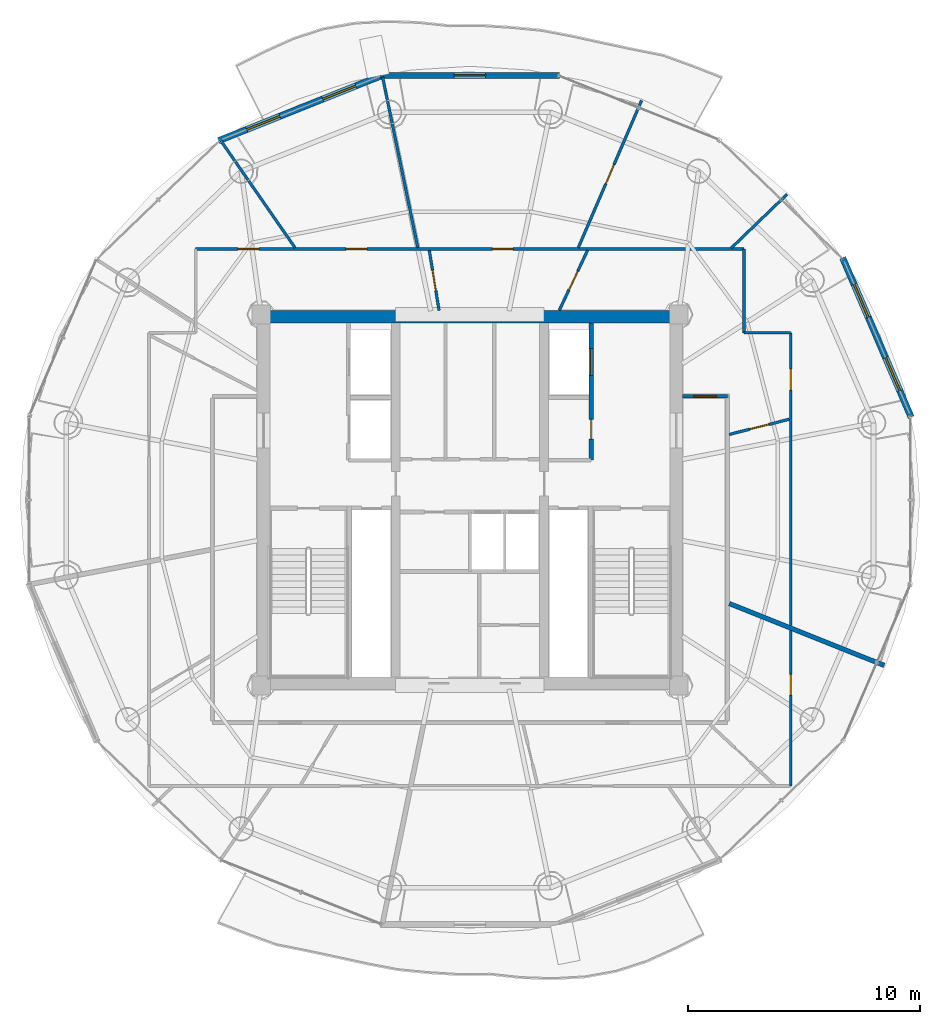
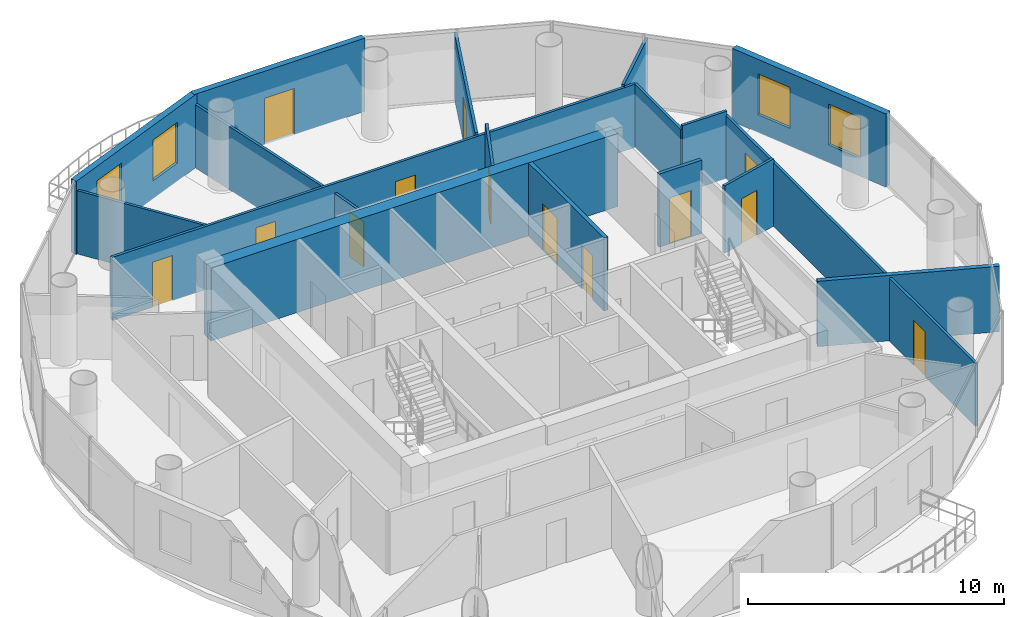
# One storey, part 19 of 23: 19 walls, 13 doors, 4 windows, 17 openings.
"""IFC4 building model written with IfcOpenShell, lengths in metres."""

from ifc_helpers import new_model, si_unit, direction, frame, frame_2d, origin, place, context, subcontext, project, spatial, rectangle, extrude, source, transform, mapped, material, layer, layer_set, type_object, element, fill, save


model = new_model("IFC4")

# Units and contexts
model_context = context("Model", 3, precision=1e-05, world=origin(), true_north=direction((-0.2419218956, 0.970295726276)))
body_context = subcontext(model_context, "Body", "Model", "MODEL_VIEW")
ifc_project = project(units=[si_unit("LENGTHUNIT", "METRE"), si_unit("AREAUNIT", "SQUARE_METRE"), si_unit("VOLUMEUNIT", "CUBIC_METRE"), si_unit("PLANEANGLEUNIT", "RADIAN"), si_unit("MASSUNIT", "GRAM", prefix="KILO")], contexts=[model_context])

# Site, building, storey
site_placement = place(None, origin())
site = spatial("IfcSite", under=ifc_project, at=site_placement, CompositionType="ELEMENT")
building_placement = place(site_placement, origin())
building = spatial("IfcBuilding", under=site, at=building_placement, Name="Cobrevalo Terracotta Tower", CompositionType="ELEMENT")
storey_placement = place(building_placement, frame((0.0, 0.0, 255.699951171875)))
storey = spatial("IfcBuildingStorey", under=building, at=storey_placement, Name="L67", CompositionType="ELEMENT", Elevation=255.699951171875)

# Wall
ifc_material_1 = material(Name="Concrete C50", Category="concrete")
ifc_layer_1 = layer(ifc_material_1, 0.550048828125)
ifc_layer_set_1 = layer_set([ifc_layer_1], Name="Concrete C50")
wall_type_1 = type_object("IfcWallType", Name="Core shear wall 550 mm Concrete C50", PredefinedType="SHEAR", material=ifc_layer_set_1)
wall_1_placement = place(storey_placement, frame((28.824951171875, 34.699951171875, 0.0), z_axis=(0.0, 0.0, 1.0), x_axis=(1.0, 0.0, 0.0)))
element("IfcWall", 1, at=wall_1_placement, inside=storey, type_object=wall_type_1, Name="L67 north core shear wall", PredefinedType="SHEAR", context=body_context, shape_type="SweptSolid", body=[
    extrude(rectangle(XDim=18.35009765625, YDim=0.550048828125, at=frame_2d((9.175048828125, 0.0))), origin(), (0.0, 0.0, 1.0), 3.489990234375),
])

# Wall, opening, door
ifc_material_2 = material(Name="Gypsum board on steel stud", Category="steel")
ifc_layer_2 = layer(ifc_material_2, 0.159912109375)
ifc_layer_set_2 = layer_set([ifc_layer_2], Name="Gypsum board on steel stud")
wall_type_2 = type_object("IfcWallType", Name="Fire-rated corridor acoustic partition wall 160 mm", PredefinedType="PARTITIONING", material=ifc_layer_set_2)
wall_2_placement = place(storey_placement, frame((47.175048828125, 31.280029296875, 0.0), z_axis=(0.0, 0.0, 1.0), x_axis=(1.0, 0.0, 0.0)))
wall_2 = element("IfcWall", 2, at=wall_2_placement, inside=storey, type_object=wall_type_2, Name="L67 interior partition IW-L67-COR-EN-CAP", PredefinedType="PARTITIONING", context=body_context, shape_type="SweptSolid", body=[
    extrude(rectangle(XDim=1.929931640625, YDim=0.159912109375, at=frame_2d((0.96484375, 0.0))), origin(), (0.0, 0.0, 1.0), 3.489990234375),
])
opening_1_placement = place(wall_2_placement, frame((0.47509765625, 0.0, 0.0)))
opening_1 = element("IfcOpeningElement", 3, at=opening_1_placement, cuts=wall_2, Name="Opening ID-05", PredefinedType="OPENING", context=body_context, shape_type="SweptSolid", body=[
    extrude(rectangle(XDim=0.97998046875, YDim=2.199951171875, at=frame_2d((0.489990234375, 1.10009765625))), frame((0.0, 0.08984375, 0.0), z_axis=(0.0, -1.0, 0.0), x_axis=(1.0, 0.0, 0.0)), (0.0, 0.0, 1.0), 0.179931640625),
])
ifc_material_3 = material(Name="Solid hardwood timber", Category="wood")
door_type_1 = type_object("IfcDoorType", Name="Residence entrance fire-rated acoustic timber door 980x2200 EI 60", OperationType="NOTDEFINED", PredefinedType="DOOR", material=ifc_material_3)
shared_shape_1 = source(origin(), body_context, "Body", "SweptSolid", [
    extrude(rectangle(XDim=0.97998046875, YDim=2.199951171875, at=frame_2d((0.489990234375, 1.10009765625))), frame((0.0, 0.02490234375, 0.0), z_axis=(0.0, -1.0, 0.0), x_axis=(1.0, 0.0, 0.0)), (0.0, 0.0, 1.0), 0.050048828125),
])
door_1_placement = place(opening_1_placement, origin())
door_1 = element("IfcDoor", 4, at=door_1_placement, inside=storey, type_object=door_type_1, Name="Flat L67A fire-rated apartment entrance door", OperationType="SINGLE_SWING_LEFT", OverallHeight=2.199951171875, OverallWidth=0.97998046875, PredefinedType="DOOR", context=body_context, shape_type="MappedRepresentation", body=[
    mapped(shared_shape_1, transform((0.0, 0.0, 0.0), scale=1.0)),
])
fill(opening_1, door_1)

# Wall, openings, doors
ifc_layer_3 = layer(ifc_material_2, 0.179931640625)
ifc_layer_set_3 = layer_set([ifc_layer_3], Name="Gypsum board on steel stud")
wall_type_3 = type_object("IfcWallType", Name="Fire-rated shaft & lobby acoustic partition wall 180 mm", PredefinedType="PARTITIONING", material=ifc_layer_set_3)
wall_3_placement = place(storey_placement, frame((43.22998046875, 28.52001953125, 0.0), z_axis=(0.0, 0.0, 1.0), x_axis=(0.0, 1.0, 0.0)))
wall_3 = element("IfcWall", 5, at=wall_3_placement, inside=storey, type_object=wall_type_3, Name="L67 interior partition IW-L67-FF2-E", PredefinedType="PARTITIONING", context=body_context, shape_type="SweptSolid", body=[
    extrude(rectangle(XDim=5.905029296875, YDim=0.179931640625, at=frame_2d((2.95263671875, 0.0))), origin(), (0.0, 0.0, 1.0), 3.489990234375),
])
opening_2_placement = place(wall_3_placement, frame((0.905029296875, 0.0, 0.0)))
opening_2 = element("IfcOpeningElement", 6, at=opening_2_placement, cuts=wall_3, Name="Opening ID-22", PredefinedType="OPENING", context=body_context, shape_type="SweptSolid", body=[
    extrude(rectangle(XDim=0.85009765625, YDim=2.10009765625, at=frame_2d((0.425048828125, 1.050048828125))), frame((0.0, 0.10009765625, 0.0), z_axis=(0.0, -1.0, 0.0), x_axis=(1.0, 0.0, 0.0)), (0.0, 0.0, 1.0), 0.199951171875),
])
opening_3_placement = place(wall_3_placement, frame((3.655029296875, 0.0, 0.0)))
opening_3 = element("IfcOpeningElement", 7, at=opening_3_placement, cuts=wall_3, Name="Opening LD-02", PredefinedType="OPENING", context=body_context, shape_type="SweptSolid", body=[
    extrude(rectangle(XDim=1.14990234375, YDim=2.199951171875, at=frame_2d((0.574951171875, 1.10009765625))), frame((0.0, 0.10009765625, 0.0), z_axis=(0.0, -1.0, 0.0), x_axis=(1.0, 0.0, 0.0)), (0.0, 0.0, 1.0), 0.199951171875),
])
ifc_material_4 = material(Name="Powder-coated steel", Category="steel")
door_type_2 = type_object("IfcDoorType", Name="Riser shaft & meter closet fire access door 850x2100 EI 60", OperationType="NOTDEFINED", PredefinedType="DOOR", material=ifc_material_4)
shared_shape_2 = source(origin(), body_context, "Body", "SweptSolid", [
    extrude(rectangle(XDim=0.85009765625, YDim=2.10009765625, at=frame_2d((0.425048828125, 1.050048828125))), frame((0.0, 0.02490234375, 0.0), z_axis=(0.0, -1.0, 0.0), x_axis=(1.0, 0.0, 0.0)), (0.0, 0.0, 1.0), 0.050048828125),
])
door_2_placement = place(opening_2_placement, frame((0.85009765625, 0.0, 0.0), z_axis=(0.0, 0.0, 1.0), x_axis=(-1.0, 0.0, 0.0)))
door_2 = element("IfcDoor", 8, at=door_2_placement, inside=storey, type_object=door_type_2, Name="L67 housekeeping store door", OperationType="SINGLE_SWING_RIGHT", OverallHeight=2.10009765625, OverallWidth=0.85009765625, PredefinedType="DOOR", context=body_context, shape_type="MappedRepresentation", body=[
    mapped(shared_shape_2, transform((0.0, 0.0, 0.0), scale=1.0)),
])
fill(opening_2, door_2)
ifc_material_5 = material(Name="Brushed stainless steel", Category="steel")
door_type_3 = type_object("IfcDoorType", Name="Firefighting lift landing bi-parting sliding door 1150x2200 EI 120", OperationType="DOUBLE_DOOR_SLIDING", PredefinedType="DOOR", material=ifc_material_5)
shared_shape_3 = source(origin(), body_context, "Body", "SweptSolid", [
    extrude(rectangle(XDim=1.14990234375, YDim=2.199951171875, at=frame_2d((0.574951171875, 1.10009765625))), frame((0.0, 0.02490234375, 0.0), z_axis=(0.0, -1.0, 0.0), x_axis=(1.0, 0.0, 0.0)), (0.0, 0.0, 1.0), 0.050048828125),
])
door_3_placement = place(opening_3_placement, origin())
door_3 = element("IfcDoor", 9, at=door_3_placement, inside=storey, type_object=door_type_3, Name="L67 lift landing door FF-2", OperationType="DOUBLE_DOOR_SLIDING", OverallHeight=2.199951171875, OverallWidth=1.14990234375, PredefinedType="DOOR", context=body_context, shape_type="MappedRepresentation", body=[
    mapped(shared_shape_3, transform((0.0, 0.0, 0.0), scale=1.0)),
])
fill(opening_3, door_3)

# Wall
ifc_material_6 = material(Name="Autoclaved aerated concrete block", Category="concrete")
ifc_layer_4 = layer(ifc_material_6, 0.199951171875)
ifc_layer_set_4 = layer_set([ifc_layer_4], Name="Autoclaved aerated concrete block")
wall_type_4 = type_object("IfcWallType", Name="Fire-rated stair, shaft & demising masonry wall 200 mm", PredefinedType="PARTITIONING", material=ifc_layer_set_4)
wall_4_placement = place(storey_placement, frame((49.18505859375, 22.334228515625, 0.0), z_axis=(0.0, 0.0, 1.0), x_axis=(0.928710518269, -0.370805573389, 0.0)))
element("IfcWall", 10, at=wall_4_placement, inside=storey, type_object=wall_type_4, Name="L67 interior partition IW-L67-DEM-1", PredefinedType="PARTITIONING", context=body_context, shape_type="SweptSolid", body=[
    extrude(rectangle(XDim=7.195068359375, YDim=0.199951171875, at=frame_2d((3.59765625, 0.0))), origin(), (0.0, 0.0, 1.0), 3.12109375),
])

# Wall, openings, windows
ifc_layer_5 = layer(ifc_material_6, 0.280029296875)
ifc_layer_set_5 = layer_set([ifc_layer_5], Name="Autoclaved aerated concrete block")
wall_type_5 = type_object("IfcWallType", Name="Insulated tower spandrel & pier wall 280 mm with terracotta rainscreen", PredefinedType="SOLIDWALL", material=ifc_layer_set_5)
wall_5_placement = place(storey_placement, frame((57.029296875, 30.368896484375, 0.0), z_axis=(0.0, 0.0, 1.0), x_axis=(-0.394816612978, 0.918759948037, 0.0)))
wall_5 = element("IfcWall", 11, at=wall_5_placement, inside=storey, type_object=wall_type_5, Name="L67 terracotta rainscreen pier wall S01", PredefinedType="SOLIDWALL", context=body_context, shape_type="SweptSolid", body=[
    extrude(rectangle(XDim=7.4853515625, YDim=0.280029296875, at=frame_2d((3.74267578125, 0.0))), origin(), (0.0, 0.0, 1.0), 3.489990234375),
])
opening_4_placement = place(wall_5_placement, frame((1.24609375, 0.0, 0.85009765625)))
opening_4 = element("IfcOpeningElement", 12, at=opening_4_placement, cuts=wall_5, Name="Opening WN-12", PredefinedType="OPENING", context=body_context, shape_type="SweptSolid", body=[
    extrude(rectangle(XDim=1.550048828125, YDim=1.949951171875, at=frame_2d((0.77490234375, 0.97509765625))), frame((0.0, 0.14990234375, 0.0), z_axis=(0.0, -1.0, 0.0), x_axis=(1.0, 0.0, 0.0)), (0.0, 0.0, 1.0), 0.300048828125),
])
opening_5_placement = place(wall_5_placement, frame((4.689208984375, 0.0, 0.85009765625)))
opening_5 = element("IfcOpeningElement", 13, at=opening_5_placement, cuts=wall_5, Name="Opening WN-12", PredefinedType="OPENING", context=body_context, shape_type="SweptSolid", body=[
    extrude(rectangle(XDim=1.550048828125, YDim=1.949951171875, at=frame_2d((0.77490234375, 0.97509765625))), frame((0.0, 0.14990234375, 0.0), z_axis=(0.0, -1.0, 0.0), x_axis=(1.0, 0.0, 0.0)), (0.0, 0.0, 1.0), 0.300048828125),
])
ifc_material_7 = material(Name="Solar-control low-E double glazing", Category="glass")
window_type = type_object("IfcWindowType", Name="Solar-control low-E aluminium window 1550x1950", PartitioningType="SINGLE_PANEL", PredefinedType="WINDOW", material=ifc_material_7)
shared_shape_4 = source(origin(), body_context, "Body", "SweptSolid", [
    extrude(rectangle(XDim=1.550048828125, YDim=1.949951171875, at=frame_2d((0.77490234375, 0.97509765625))), frame((0.0, 0.030029296875, 0.0), z_axis=(0.0, -1.0, 0.0), x_axis=(1.0, 0.0, 0.0)), (0.0, 0.0, 1.0), 0.06005859375),
])
window_1_placement = place(opening_4_placement, origin())
window_1 = element("IfcWindow", 14, at=window_1_placement, inside=storey, type_object=window_type, Name="L67 suite window S01A", OverallHeight=1.949951171875, OverallWidth=1.550048828125, PartitioningType="SINGLE_PANEL", PredefinedType="WINDOW", context=body_context, shape_type="MappedRepresentation", body=[
    mapped(shared_shape_4, transform((0.0, 0.0, 0.0), scale=1.0)),
])
fill(opening_4, window_1)
window_2_placement = place(opening_5_placement, origin())
window_2 = element("IfcWindow", 15, at=window_2_placement, inside=storey, type_object=window_type, Name="L67 suite window S01B", OverallHeight=1.949951171875, OverallWidth=1.550048828125, PartitioningType="SINGLE_PANEL", PredefinedType="WINDOW", context=body_context, shape_type="MappedRepresentation", body=[
    mapped(shared_shape_4, transform((0.0, 0.0, 0.0), scale=1.0)),
])
fill(opening_5, window_2)

wall_6_placement = place(storey_placement, frame((34.29541015625, 45.140869140625, 0.0), z_axis=(0.0, 0.0, 1.0), x_axis=(-0.928724272392, -0.370771123296, 0.0)))
wall_6 = element("IfcWall", 16, at=wall_6_placement, inside=storey, type_object=wall_type_5, Name="L67 terracotta rainscreen pier wall S05", PredefinedType="SOLIDWALL", context=body_context, shape_type="SweptSolid", body=[
    extrude(rectangle(XDim=7.678466796875, YDim=0.280029296875, at=frame_2d((3.83935546875, 0.0))), origin(), (0.0, 0.0, 1.0), 3.489990234375),
])
opening_6_placement = place(wall_6_placement, frame((1.298095703125, 0.0, 0.85009765625)))
opening_6 = element("IfcOpeningElement", 17, at=opening_6_placement, cuts=wall_6, Name="Opening WN-12", PredefinedType="OPENING", context=body_context, shape_type="SweptSolid", body=[
    extrude(rectangle(XDim=1.550048828125, YDim=1.949951171875, at=frame_2d((0.77490234375, 0.97509765625))), frame((0.0, 0.14990234375, 0.0), z_axis=(0.0, -1.0, 0.0), x_axis=(1.0, 0.0, 0.0)), (0.0, 0.0, 1.0), 0.300048828125),
])
opening_7_placement = place(wall_6_placement, frame((4.830078125, 0.0, 0.85009765625)))
opening_7 = element("IfcOpeningElement", 18, at=opening_7_placement, cuts=wall_6, Name="Opening WN-12", PredefinedType="OPENING", context=body_context, shape_type="SweptSolid", body=[
    extrude(rectangle(XDim=1.550048828125, YDim=1.949951171875, at=frame_2d((0.77490234375, 0.97509765625))), frame((0.0, 0.14990234375, 0.0), z_axis=(0.0, -1.0, 0.0), x_axis=(1.0, 0.0, 0.0)), (0.0, 0.0, 1.0), 0.300048828125),
])
window_3_placement = place(opening_6_placement, origin())
window_3 = element("IfcWindow", 19, at=window_3_placement, inside=storey, type_object=window_type, Name="L67 suite window S05A", OverallHeight=1.949951171875, OverallWidth=1.550048828125, PartitioningType="SINGLE_PANEL", PredefinedType="WINDOW", context=body_context, shape_type="MappedRepresentation", body=[
    mapped(shared_shape_4, transform((0.0, 0.0, 0.0), scale=1.0)),
])
fill(opening_6, window_3)
window_4_placement = place(opening_7_placement, origin())
window_4 = element("IfcWindow", 20, at=window_4_placement, inside=storey, type_object=window_type, Name="L67 suite window S05B", OverallHeight=1.949951171875, OverallWidth=1.550048828125, PartitioningType="SINGLE_PANEL", PredefinedType="WINDOW", context=body_context, shape_type="MappedRepresentation", body=[
    mapped(shared_shape_4, transform((0.0, 0.0, 0.0), scale=1.0)),
])
fill(opening_7, window_4)

# Wall, opening, door
ifc_layer_6 = layer(ifc_material_6, 0.260009765625)
ifc_layer_set_6 = layer_set([ifc_layer_6], Name="Autoclaved aerated concrete block")
wall_type_6 = type_object("IfcWallType", Name="Recessed balcony loggia insulated exterior wall 260 mm", PredefinedType="SOLIDWALL", material=ifc_layer_set_6)
wall_7_placement = place(storey_placement, frame((41.85888671875, 45.111328125, 0.0), z_axis=(0.0, 0.0, 1.0), x_axis=(-1.0, 0.0, 0.0)))
wall_7 = element("IfcWall", 21, at=wall_7_placement, inside=storey, type_object=wall_type_6, Name="L67 balcony loggia wall S04", PredefinedType="SOLIDWALL", context=body_context, shape_type="SweptSolid", body=[
    extrude(rectangle(XDim=7.7177734375, YDim=0.260009765625, at=frame_2d((3.85888671875, 0.0))), origin(), (0.0, 0.0, 1.0), 3.489990234375),
])
opening_8_placement = place(wall_7_placement, frame((3.183837890625, 0.0, 0.0)))
opening_8 = element("IfcOpeningElement", 22, at=opening_8_placement, cuts=wall_7, Name="Opening ED-05", PredefinedType="OPENING", context=body_context, shape_type="SweptSolid", body=[
    extrude(rectangle(XDim=1.35009765625, YDim=2.199951171875, at=frame_2d((0.675048828125, 1.10009765625))), frame((0.0, 0.14013671875, 0.0), z_axis=(0.0, -1.0, 0.0), x_axis=(1.0, 0.0, 0.0)), (0.0, 0.0, 1.0), 0.280029296875),
])
ifc_material_8 = material(Name="Anodized aluminium and laminated glass", Category="aluminium")
door_type_4 = type_object("IfcDoorType", Name="Suite balcony acoustic glazed terrace door 1350x2200", OperationType="NOTDEFINED", PredefinedType="DOOR", material=ifc_material_8)
shared_shape_5 = source(origin(), body_context, "Body", "SweptSolid", [
    extrude(rectangle(XDim=1.35009765625, YDim=2.199951171875, at=frame_2d((0.675048828125, 1.10009765625))), frame((0.0, 0.02490234375, 0.0), z_axis=(0.0, -1.0, 0.0), x_axis=(1.0, 0.0, 0.0)), (0.0, 0.0, 1.0), 0.050048828125),
])
door_4_placement = place(opening_8_placement, frame((1.35009765625, 0.0, 0.0), z_axis=(0.0, 0.0, 1.0), x_axis=(-1.0, 0.0, 0.0)))
door_4 = element("IfcDoor", 23, at=door_4_placement, inside=storey, type_object=door_type_4, Name="L67 glazed balcony terrace door 1", OperationType="SINGLE_SWING_LEFT", OverallHeight=2.199951171875, OverallWidth=1.35009765625, PredefinedType="DOOR", context=body_context, shape_type="MappedRepresentation", body=[
    mapped(shared_shape_5, transform((0.0, 0.0, 0.0), scale=1.0)),
])
fill(opening_8, door_4)

# Wall, openings, doors
ifc_layer_7 = layer(ifc_material_2, 0.1201171875)
ifc_layer_set_7 = layer_set([ifc_layer_7], Name="Gypsum board on steel stud")
wall_type_7 = type_object("IfcWallType", Name="Residential internal acoustic stud partition 120 mm", PredefinedType="PARTITIONING", material=ifc_layer_set_7)
wall_8_placement = place(storey_placement, frame((26.175048828125, 37.625, 0.0), z_axis=(0.0, 0.0, 1.0), x_axis=(1.0, 0.0, 0.0)))
wall_8 = element("IfcWall", 24, at=wall_8_placement, inside=storey, type_object=wall_type_7, Name="L67 interior partition IW-L67-U1-RING3_0", PredefinedType="PARTITIONING", context=body_context, shape_type="SweptSolid", body=[
    extrude(rectangle(XDim=23.64990234375, YDim=0.1201171875, at=frame_2d((11.824951171875, 0.0))), origin(), (0.0, 0.0, 1.0), 3.01513671875),
])
opening_9_placement = place(wall_8_placement, frame((12.791259765625, 0.0, 0.0)))
opening_9 = element("IfcOpeningElement", 25, at=opening_9_placement, cuts=wall_8, Name="Opening ID-12", PredefinedType="OPENING", context=body_context, shape_type="SweptSolid", body=[
    extrude(rectangle(XDim=0.89990234375, YDim=2.14990234375, at=frame_2d((0.449951171875, 1.074951171875))), frame((0.0, 0.070068359375, 0.0), z_axis=(0.0, -1.0, 0.0), x_axis=(1.0, 0.0, 0.0)), (0.0, 0.0, 1.0), 0.14013671875),
])
opening_10_placement = place(wall_8_placement, frame((6.47998046875, 0.0, 0.0)))
opening_10 = element("IfcOpeningElement", 26, at=opening_10_placement, cuts=wall_8, Name="Opening ID-12", PredefinedType="OPENING", context=body_context, shape_type="SweptSolid", body=[
    extrude(rectangle(XDim=0.89990234375, YDim=2.14990234375, at=frame_2d((0.449951171875, 1.074951171875))), frame((0.0, 0.070068359375, 0.0), z_axis=(0.0, -1.0, 0.0), x_axis=(1.0, 0.0, 0.0)), (0.0, 0.0, 1.0), 0.14013671875),
])
opening_11_placement = place(wall_8_placement, frame((1.83056640625, 0.0, 0.0)))
opening_11 = element("IfcOpeningElement", 27, at=opening_11_placement, cuts=wall_8, Name="Opening ID-12", PredefinedType="OPENING", context=body_context, shape_type="SweptSolid", body=[
    extrude(rectangle(XDim=0.89990234375, YDim=2.14990234375, at=frame_2d((0.449951171875, 1.074951171875))), frame((0.0, 0.070068359375, 0.0), z_axis=(0.0, -1.0, 0.0), x_axis=(1.0, 0.0, 0.0)), (0.0, 0.0, 1.0), 0.14013671875),
])
ifc_material_9 = material(Name="Engineered timber", Category="wood")
door_type_5 = type_object("IfcDoorType", Name="Internal residence & suite timber door 900x2150", OperationType="NOTDEFINED", PredefinedType="DOOR", material=ifc_material_9)
shared_shape_6 = source(origin(), body_context, "Body", "SweptSolid", [
    extrude(rectangle(XDim=0.89990234375, YDim=2.14990234375, at=frame_2d((0.449951171875, 1.074951171875))), frame((0.0, 0.02490234375, 0.0), z_axis=(0.0, -1.0, 0.0), x_axis=(1.0, 0.0, 0.0)), (0.0, 0.0, 1.0), 0.050048828125),
])
door_5_placement = place(opening_9_placement, origin())
door_5 = element("IfcDoor", 28, at=door_5_placement, inside=storey, type_object=door_type_5, Name="Flat L67A Penthouse Family Lounge internal door", OperationType="SINGLE_SWING_LEFT", OverallHeight=2.14990234375, OverallWidth=0.89990234375, PredefinedType="DOOR", context=body_context, shape_type="MappedRepresentation", body=[
    mapped(shared_shape_6, transform((0.0, 0.0, 0.0), scale=1.0)),
])
fill(opening_9, door_5)
door_6_placement = place(opening_10_placement, origin())
door_6 = element("IfcDoor", 29, at=door_6_placement, inside=storey, type_object=door_type_5, Name="Flat L67A Principal Guest Bedroom internal door", OperationType="SINGLE_SWING_LEFT", OverallHeight=2.14990234375, OverallWidth=0.89990234375, PredefinedType="DOOR", context=body_context, shape_type="MappedRepresentation", body=[
    mapped(shared_shape_6, transform((0.0, 0.0, 0.0), scale=1.0)),
])
fill(opening_10, door_6)
door_7_placement = place(opening_11_placement, origin())
door_7 = element("IfcDoor", 30, at=door_7_placement, inside=storey, type_object=door_type_5, Name="Flat L67A Penthouse Family Lounge internal door", OperationType="SINGLE_SWING_RIGHT", OverallHeight=2.14990234375, OverallWidth=0.89990234375, PredefinedType="DOOR", context=body_context, shape_type="MappedRepresentation", body=[
    mapped(shared_shape_6, transform((0.0, 0.0, 0.0), scale=1.0)),
])
fill(opening_11, door_7)

# Walls
wall_9_placement = place(storey_placement, frame((49.824951171875, 37.625, 0.0), z_axis=(0.0, 0.0, 1.0), x_axis=(0.0, -1.0, 0.0)))
element("IfcWall", 31, at=wall_9_placement, inside=storey, type_object=wall_type_7, Name="L67 interior partition IW-L67-U1-RING4_0", PredefinedType="PARTITIONING", context=body_context, shape_type="SweptSolid", body=[
    extrude(rectangle(XDim=3.614990234375, YDim=0.1201171875, at=frame_2d((1.8076171875, 0.0))), origin(), (0.0, 0.0, 1.0), 3.01513671875),
])
wall_10_placement = place(storey_placement, frame((49.824951171875, 34.010009765625, 0.0), z_axis=(0.0, 0.0, 1.0), x_axis=(1.0, 0.0, 0.0)))
element("IfcWall", 32, at=wall_10_placement, inside=storey, type_object=wall_type_7, Name="L67 interior partition IW-L67-U1-RING5_0", PredefinedType="PARTITIONING", context=body_context, shape_type="SweptSolid", body=[
    extrude(rectangle(XDim=2.010009765625, YDim=0.1201171875, at=frame_2d((1.0048828125, 0.0))), origin(), (0.0, 0.0, 1.0), 3.208984375),
])

# Wall, opening, door
wall_11_placement = place(storey_placement, frame((51.8349609375, 34.010009765625, 0.0), z_axis=(0.0, 0.0, 1.0), x_axis=(0.0, -1.0, 0.0)))
wall_11 = element("IfcWall", 33, at=wall_11_placement, inside=storey, type_object=wall_type_7, Name="L67 interior partition IW-L67-U1-RING6_0", PredefinedType="PARTITIONING", context=body_context, shape_type="SweptSolid", body=[
    extrude(rectangle(XDim=12.6318359375, YDim=0.1201171875, at=frame_2d((6.31591796875, 0.0))), origin(), (0.0, 0.0, 1.0), 3.01513671875),
])
opening_12_placement = place(wall_11_placement, frame((1.5703125, 0.0, 0.0)))
opening_12 = element("IfcOpeningElement", 34, at=opening_12_placement, cuts=wall_11, Name="Opening ID-12", PredefinedType="OPENING", context=body_context, shape_type="SweptSolid", body=[
    extrude(rectangle(XDim=0.89990234375, YDim=2.14990234375, at=frame_2d((0.449951171875, 1.074951171875))), frame((0.0, 0.070068359375, 0.0), z_axis=(0.0, -1.0, 0.0), x_axis=(1.0, 0.0, 0.0)), (0.0, 0.0, 1.0), 0.14013671875),
])
door_8_placement = place(opening_12_placement, origin())
door_8 = element("IfcDoor", 35, at=door_8_placement, inside=storey, type_object=door_type_5, Name="Flat L67A Penthouse Living and Dining Room internal door", OperationType="SINGLE_SWING_LEFT", OverallHeight=2.14990234375, OverallWidth=0.89990234375, PredefinedType="DOOR", context=body_context, shape_type="MappedRepresentation", body=[
    mapped(shared_shape_6, transform((0.0, 0.0, 0.0), scale=1.0)),
])
fill(opening_12, door_8)

# Wall
wall_12_placement = place(storey_placement, frame((49.27490234375, 37.66796875, 0.0), z_axis=(0.0, 0.0, 1.0), x_axis=(0.719954096891, 0.694021684366, 0.0)))
element("IfcWall", 36, at=wall_12_placement, inside=storey, type_object=wall_type_7, Name="L67 interior partition IW-L67-U1-ORAD1", PredefinedType="PARTITIONING", context=body_context, shape_type="SweptSolid", body=[
    extrude(rectangle(XDim=3.332763671875, YDim=0.1201171875, at=frame_2d((1.66650390625, 0.0))), origin(), (0.0, 0.0, 1.0), 3.12109375),
])

# Wall, opening, door
wall_13_placement = place(storey_placement, frame((42.67626953125, 37.681884765625, 0.0), z_axis=(0.0, 0.0, 1.0), x_axis=(0.394777489933, 0.918776759307, 0.0)))
wall_13 = element("IfcWall", 37, at=wall_13_placement, inside=storey, type_object=wall_type_7, Name="L67 interior partition IW-L67-U1-ORAD2M1", PredefinedType="PARTITIONING", context=body_context, shape_type="SweptSolid", body=[
    extrude(rectangle(XDim=6.899658203125, YDim=0.1201171875, at=frame_2d((3.44970703125, 0.0))), origin(), (0.0, 0.0, 1.0), 3.12109375),
])
opening_13_placement = place(wall_13_placement, frame((3.0, 0.0, 0.0)))
opening_13 = element("IfcOpeningElement", 38, at=opening_13_placement, cuts=wall_13, Name="Opening ID-12", PredefinedType="OPENING", context=body_context, shape_type="SweptSolid", body=[
    extrude(rectangle(XDim=0.89990234375, YDim=2.14990234375, at=frame_2d((0.449951171875, 1.074951171875))), frame((0.0, 0.070068359375, 0.0), z_axis=(0.0, -1.0, 0.0), x_axis=(1.0, 0.0, 0.0)), (0.0, 0.0, 1.0), 0.14013671875),
])
door_9_placement = place(opening_13_placement, frame((0.89990234375, 0.0, 0.0), z_axis=(0.0, 0.0, 1.0), x_axis=(-1.0, 0.0, 0.0)))
door_9 = element("IfcDoor", 39, at=door_9_placement, inside=storey, type_object=door_type_5, Name="Flat L67A Master Bedroom internal door", OperationType="SINGLE_SWING_RIGHT", OverallHeight=2.14990234375, OverallWidth=0.89990234375, PredefinedType="DOOR", context=body_context, shape_type="MappedRepresentation", body=[
    mapped(shared_shape_6, transform((0.0, 0.0, 0.0), scale=1.0)),
])
fill(opening_13, door_9)

# Walls
wall_14_placement = place(storey_placement, frame((35.753662109375, 37.685791015625, 0.0), z_axis=(0.0, 0.0, 1.0), x_axis=(-0.202105877204, 0.979363678313, 0.0)))
element("IfcWall", 40, at=wall_14_placement, inside=storey, type_object=wall_type_7, Name="L67 interior partition IW-L67-U1-ORAD2", PredefinedType="PARTITIONING", context=body_context, shape_type="SweptSolid", body=[
    extrude(rectangle(XDim=7.512451171875, YDim=0.1201171875, at=frame_2d((3.75634765625, 0.0))), origin(), (0.0, 0.0, 1.0), 3.01513671875),
])
wall_15_placement = place(storey_placement, frame((30.4609375, 37.676025390625, 0.0), z_axis=(0.0, 0.0, 1.0), x_axis=(-0.569689482466, 0.821860020665, 0.0)))
element("IfcWall", 41, at=wall_15_placement, inside=storey, type_object=wall_type_7, Name="L67 interior partition IW-L67-U1-ORAD3M1", PredefinedType="PARTITIONING", context=body_context, shape_type="SweptSolid", body=[
    extrude(rectangle(XDim=5.585205078125, YDim=0.1201171875, at=frame_2d((2.79248046875, 0.0))), origin(), (0.0, 0.0, 1.0), 3.01513671875),
])

# Wall, opening, door
wall_16_placement = place(storey_placement, frame((49.18505859375, 29.626953125, 0.0), z_axis=(0.0, 0.0, 1.0), x_axis=(0.969515658159, 0.2450293627, 0.0)))
wall_16 = element("IfcWall", 42, at=wall_16_placement, inside=storey, type_object=wall_type_7, Name="L67 interior partition IW-L67-U1-IRAD1", PredefinedType="PARTITIONING", context=body_context, shape_type="SweptSolid", body=[
    extrude(rectangle(XDim=2.67138671875, YDim=0.1201171875, at=frame_2d((1.335693359375, 0.0))), origin(), (0.0, 0.0, 1.0), 3.208984375),
])
opening_14_placement = place(wall_16_placement, frame((0.90576171875, 0.0, 0.0)))
opening_14 = element("IfcOpeningElement", 43, at=opening_14_placement, cuts=wall_16, Name="Opening ID-19", PredefinedType="OPENING", context=body_context, shape_type="SweptSolid", body=[
    extrude(rectangle(XDim=0.860107421875, YDim=2.14990234375, at=frame_2d((0.43017578125, 1.074951171875))), frame((0.0, 0.070068359375, 0.0), z_axis=(0.0, -1.0, 0.0), x_axis=(1.0, 0.0, 0.0)), (0.0, 0.0, 1.0), 0.14013671875),
])
ifc_material_10 = material(Name="Moisture-sealed timber", Category="wood")
door_type_6 = type_object("IfcDoorType", Name="Suite bathroom internal timber door 860x2150", OperationType="NOTDEFINED", PredefinedType="DOOR", material=ifc_material_10)
shared_shape_7 = source(origin(), body_context, "Body", "SweptSolid", [
    extrude(rectangle(XDim=0.860107421875, YDim=2.14990234375, at=frame_2d((0.43017578125, 1.074951171875))), frame((0.0, 0.02490234375, 0.0), z_axis=(0.0, -1.0, 0.0), x_axis=(1.0, 0.0, 0.0)), (0.0, 0.0, 1.0), 0.050048828125),
])
door_10_placement = place(opening_14_placement, frame((0.860107421875, 0.0, 0.0), z_axis=(0.0, 0.0, 1.0), x_axis=(-1.0, 0.0, 0.0)))
door_10 = element("IfcDoor", 44, at=door_10_placement, inside=storey, type_object=door_type_6, Name="Flat L67A Primary Bathroom internal door", OperationType="SINGLE_SWING_RIGHT", OverallHeight=2.14990234375, OverallWidth=0.860107421875, PredefinedType="DOOR", context=body_context, shape_type="MappedRepresentation", body=[
    mapped(shared_shape_7, transform((0.0, 0.0, 0.0), scale=1.0)),
])
fill(opening_14, door_10)

wall_17_placement = place(storey_placement, frame((41.854248046875, 34.976806640625, 0.0), z_axis=(0.0, 0.0, 1.0), x_axis=(0.42640827804, 0.904530806783, 0.0)))
wall_17 = element("IfcWall", 45, at=wall_17_placement, inside=storey, type_object=wall_type_7, Name="L67 interior partition IW-L67-U1-IRAD2", PredefinedType="PARTITIONING", context=body_context, shape_type="SweptSolid", body=[
    extrude(rectangle(XDim=2.86572265625, YDim=0.1201171875, at=frame_2d((1.432861328125, 0.0))), origin(), (0.0, 0.0, 1.0), 3.489990234375),
])
opening_15_placement = place(wall_17_placement, frame((0.98291015625, 0.0, 0.0)))
opening_15 = element("IfcOpeningElement", 46, at=opening_15_placement, cuts=wall_17, Name="Opening ID-12", PredefinedType="OPENING", context=body_context, shape_type="SweptSolid", body=[
    extrude(rectangle(XDim=0.89990234375, YDim=2.14990234375, at=frame_2d((0.449951171875, 1.074951171875))), frame((0.0, 0.070068359375, 0.0), z_axis=(0.0, -1.0, 0.0), x_axis=(1.0, 0.0, 0.0)), (0.0, 0.0, 1.0), 0.14013671875),
])
door_11_placement = place(opening_15_placement, origin())
door_11 = element("IfcDoor", 47, at=door_11_placement, inside=storey, type_object=door_type_5, Name="Flat L67A Kitchen internal door", OperationType="SINGLE_SWING_RIGHT", OverallHeight=2.14990234375, OverallWidth=0.89990234375, PredefinedType="DOOR", context=body_context, shape_type="MappedRepresentation", body=[
    mapped(shared_shape_6, transform((0.0, 0.0, 0.0), scale=1.0)),
])
fill(opening_15, door_11)

wall_18_placement = place(storey_placement, frame((36.670166015625, 34.97705078125, 0.0), z_axis=(0.0, 0.0, 1.0), x_axis=(-0.160605953374, 0.98701860557, 0.0)))
wall_18 = element("IfcWall", 48, at=wall_18_placement, inside=storey, type_object=wall_type_7, Name="L67 interior partition IW-L67-U1-IRAD3", PredefinedType="PARTITIONING", context=body_context, shape_type="SweptSolid", body=[
    extrude(rectangle(XDim=2.62060546875, YDim=0.1201171875, at=frame_2d((1.310302734375, 0.0))), origin(), (0.0, 0.0, 1.0), 2.574951171875),
])
opening_16_placement = place(wall_18_placement, frame((0.8603515625, 0.0, 0.0)))
opening_16 = element("IfcOpeningElement", 49, at=opening_16_placement, cuts=wall_18, Name="Opening ID-12", PredefinedType="OPENING", context=body_context, shape_type="SweptSolid", body=[
    extrude(rectangle(XDim=0.89990234375, YDim=2.14990234375, at=frame_2d((0.449951171875, 1.074951171875))), frame((0.0, 0.070068359375, 0.0), z_axis=(0.0, -1.0, 0.0), x_axis=(1.0, 0.0, 0.0)), (0.0, 0.0, 1.0), 0.14013671875),
])
door_12_placement = place(opening_16_placement, origin())
door_12 = element("IfcDoor", 50, at=door_12_placement, inside=storey, type_object=door_type_5, Name="Flat L67A Private Library Meeting Room internal door", OperationType="SINGLE_SWING_RIGHT", OverallHeight=2.14990234375, OverallWidth=0.89990234375, PredefinedType="DOOR", context=body_context, shape_type="MappedRepresentation", body=[
    mapped(shared_shape_6, transform((0.0, 0.0, 0.0), scale=1.0)),
])
fill(opening_16, door_12)

wall_19_placement = place(storey_placement, frame((51.8349609375, 21.174072265625, 0.0), z_axis=(0.0, 0.0, 1.0), x_axis=(0.0, -1.0, 0.0)))
wall_19 = element("IfcWall", 51, at=wall_19_placement, inside=storey, type_object=wall_type_7, Name="L67 interior partition IW-L67-U3-RING0_0", PredefinedType="PARTITIONING", context=body_context, shape_type="SweptSolid", body=[
    extrude(rectangle(XDim=6.708984375, YDim=0.1201171875, at=frame_2d((3.3544921875, 0.0))), origin(), (0.0, 0.0, 1.0), 3.01513671875),
])
opening_17_placement = place(wall_19_placement, frame((1.88818359375, 0.0, 0.0)))
opening_17 = element("IfcOpeningElement", 52, at=opening_17_placement, cuts=wall_19, Name="Opening ID-12", PredefinedType="OPENING", context=body_context, shape_type="SweptSolid", body=[
    extrude(rectangle(XDim=0.89990234375, YDim=2.14990234375, at=frame_2d((0.449951171875, 1.074951171875))), frame((0.0, 0.070068359375, 0.0), z_axis=(0.0, -1.0, 0.0), x_axis=(1.0, 0.0, 0.0)), (0.0, 0.0, 1.0), 0.14013671875),
])
door_13_placement = place(opening_17_placement, origin())
door_13 = element("IfcDoor", 53, at=door_13_placement, inside=storey, type_object=door_type_5, Name="Flat L67C Master Bedroom internal door", OperationType="SINGLE_SWING_LEFT", OverallHeight=2.14990234375, OverallWidth=0.89990234375, PredefinedType="DOOR", context=body_context, shape_type="MappedRepresentation", body=[
    mapped(shared_shape_6, transform((0.0, 0.0, 0.0), scale=1.0)),
])
fill(opening_17, door_13)

save(model, "model.ifc")
